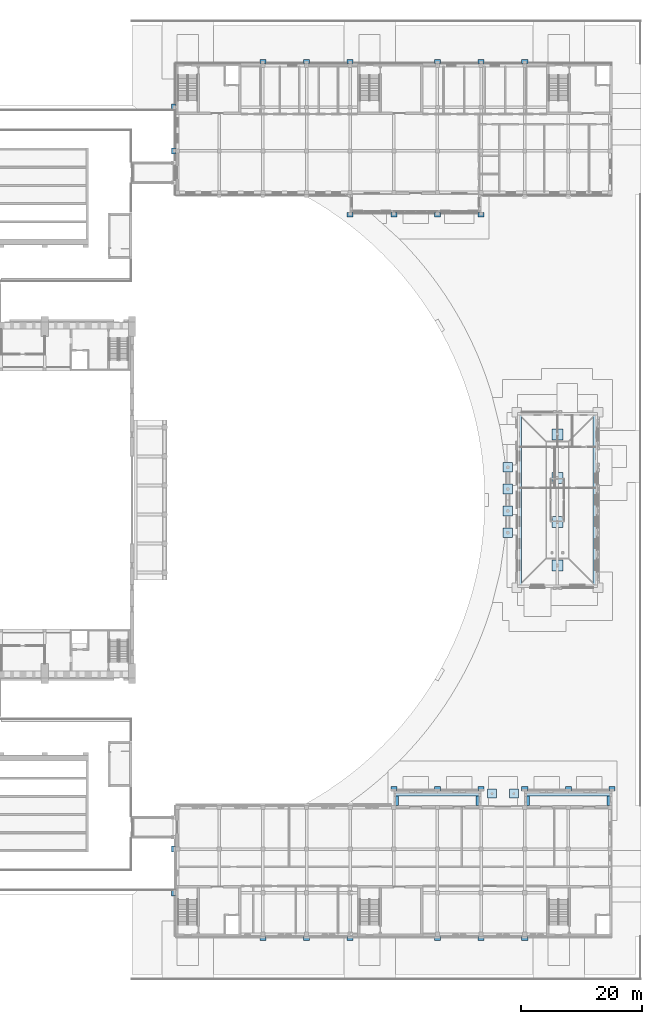
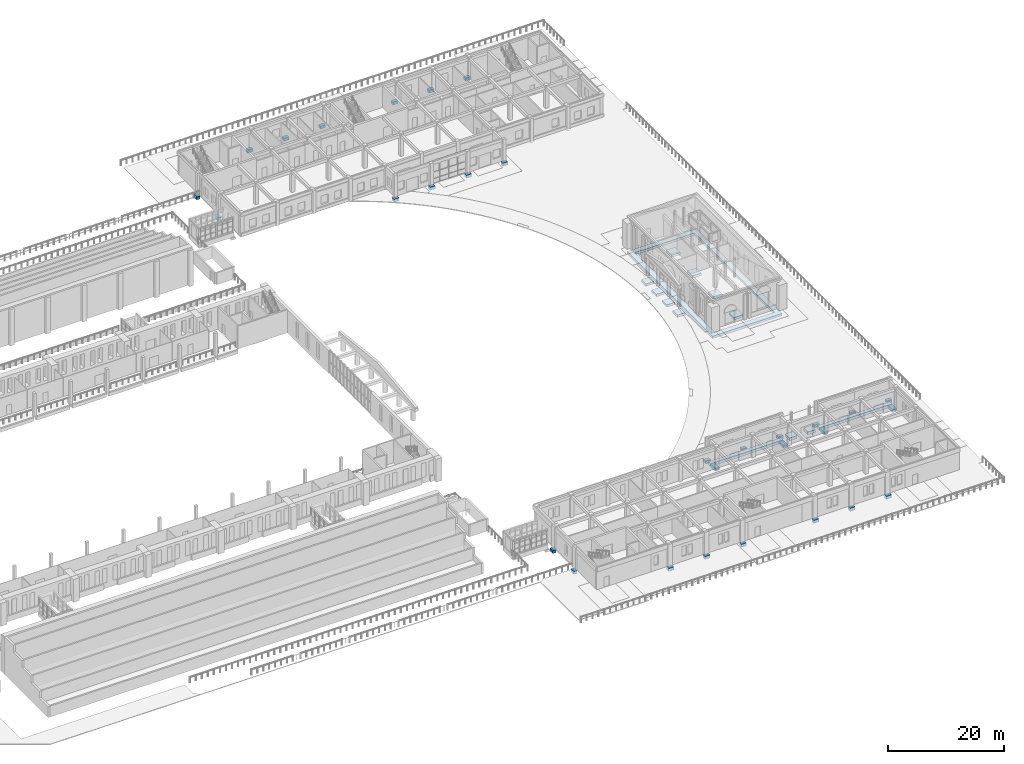
# One storey, part 1 of 131: 43 footings.
"""IFC4 building model written with IfcOpenShell, lengths in metres."""

from ifc_helpers import new_model, si_unit, direction, frame, origin, origin_2d, place, context, subcontext, project, spatial, polyline, rectangle, outline, extrude, material, type_object, element, save


model = new_model("IFC4")

# Units and contexts
model_context = context("Model", 3, precision=1e-05, world=origin(), true_north=direction((0.0, 1.0)))
body_context = subcontext(model_context, "Body", "Model", "MODEL_VIEW")
ifc_project = project(units=[si_unit("LENGTHUNIT", "METRE"), si_unit("AREAUNIT", "SQUARE_METRE"), si_unit("VOLUMEUNIT", "CUBIC_METRE"), si_unit("PLANEANGLEUNIT", "RADIAN"), si_unit("MASSUNIT", "GRAM", prefix="KILO")], contexts=[model_context])

# Site, building, storey
site_placement = place(None, origin())
site = spatial("IfcSite", under=ifc_project, at=site_placement, CompositionType="ELEMENT")
building_placement = place(site_placement, origin())
building = spatial("IfcBuilding", under=site, at=building_placement, Name="Alderwick Market Hall", CompositionType="ELEMENT")
storey_placement = place(building_placement, frame((0.0, 0.0, 4.800048828125)))
storey = spatial("IfcBuildingStorey", under=building, at=storey_placement, Name="L00", CompositionType="ELEMENT", Elevation=4.800048828125)

# Footings
ifc_material = material(Name="Concrete 4000 psi (f'c 28 MPa)", Category="concrete")
footing_type_1 = type_object("IfcFootingType", Name="C Loggia Pad Footing 1500x1500x600", PredefinedType="PAD_FOOTING", material=ifc_material)
for number, where, z_axis, x_axis, name in (
    (1, (210.60009765625, 30.75, -0.60009765625), (0.0, 0.0, 1.0), (1.0, 0.0, 0.0), "C.loggia.foot.01"),
    (2, (214.199951171875, 30.75, -0.60009765625), (0.0, 0.0, 1.0), (1.0, 0.0, 0.0), "C.loggia.foot.02"),
):
    element("IfcFooting", number, at=place(storey_placement, frame(where, z_axis=z_axis, x_axis=x_axis)), inside=storey, type_object=footing_type_1, Name=name, PredefinedType="PAD_FOOTING", context=body_context, shape_type="SweptSolid", body=[
        extrude(rectangle(XDim=1.5, YDim=1.5, at=origin_2d()), origin(), (0.0, 0.0, 1.0), 0.60009765625),
    ])
footing_type_2 = type_object("IfcFootingType", Name="C Pavilion Strip Footing 800x600", PredefinedType="STRIP_FOOTING", material=ifc_material)
footing_1_placement = place(storey_placement, frame((0.0, 0.0, -0.85009765625)))
element("IfcFooting", 3, at=footing_1_placement, inside=storey, type_object=footing_type_2, Name="C.pav1.strip.front", PredefinedType="STRIP_FOOTING", context=body_context, shape_type="SweptSolid", body=[
    extrude(outline(polyline([(194.39990234375, 31.199951171875), (208.800048828125, 31.199951171875), (208.800048828125, 30.39990234375), (194.39990234375, 30.39990234375), (194.39990234375, 31.199951171875)])), origin(), (0.0, 0.0, 1.0), 0.60009765625),
])
footing_2_placement = place(storey_placement, frame((0.0, 0.0, -0.85009765625)))
element("IfcFooting", 4, at=footing_2_placement, inside=storey, type_object=footing_type_2, Name="C.pav1.strip.west", PredefinedType="STRIP_FOOTING", context=body_context, shape_type="SweptSolid", body=[
    extrude(outline(polyline([(194.39990234375, 30.39990234375), (195.199951171875, 30.39990234375), (195.199951171875, 28.800048828125), (194.39990234375, 28.800048828125), (194.39990234375, 30.39990234375)])), origin(), (0.0, 0.0, 1.0), 0.60009765625),
])
footing_3_placement = place(storey_placement, frame((0.0, 0.0, -0.85009765625)))
element("IfcFooting", 5, at=footing_3_placement, inside=storey, type_object=footing_type_2, Name="C.pav1.strip.east", PredefinedType="STRIP_FOOTING", context=body_context, shape_type="SweptSolid", body=[
    extrude(outline(polyline([(208.0, 30.39990234375), (208.800048828125, 30.39990234375), (208.800048828125, 28.800048828125), (208.0, 28.800048828125), (208.0, 30.39990234375)])), origin(), (0.0, 0.0, 1.0), 0.60009765625),
])
footing_4_placement = place(storey_placement, frame((0.0, 0.0, -0.85009765625)))
element("IfcFooting", 6, at=footing_4_placement, inside=storey, type_object=footing_type_2, Name="C.pav2.strip.front", PredefinedType="STRIP_FOOTING", context=body_context, shape_type="SweptSolid", body=[
    extrude(outline(polyline([(216.0, 31.199951171875), (230.39990234375, 31.199951171875), (230.39990234375, 30.39990234375), (216.0, 30.39990234375), (216.0, 31.199951171875)])), origin(), (0.0, 0.0, 1.0), 0.60009765625),
])
footing_5_placement = place(storey_placement, frame((0.0, 0.0, -0.85009765625)))
element("IfcFooting", 7, at=footing_5_placement, inside=storey, type_object=footing_type_2, Name="C.pav2.strip.west", PredefinedType="STRIP_FOOTING", context=body_context, shape_type="SweptSolid", body=[
    extrude(outline(polyline([(216.0, 30.39990234375), (216.800048828125, 30.39990234375), (216.800048828125, 28.800048828125), (216.0, 28.800048828125), (216.0, 30.39990234375)])), origin(), (0.0, 0.0, 1.0), 0.60009765625),
])
footing_6_placement = place(storey_placement, frame((0.0, 0.0, -0.85009765625)))
element("IfcFooting", 8, at=footing_6_placement, inside=storey, type_object=footing_type_2, Name="C.pav2.strip.east", PredefinedType="STRIP_FOOTING", context=body_context, shape_type="SweptSolid", body=[
    extrude(outline(polyline([(229.60009765625, 30.39990234375), (230.39990234375, 30.39990234375), (230.39990234375, 28.800048828125), (229.60009765625, 28.800048828125), (229.60009765625, 30.39990234375)])), origin(), (0.0, 0.0, 1.0), 0.60009765625),
])
footing_type_3 = type_object("IfcFootingType", Name="C Pilaster Pad Footing 1000x700x600", PredefinedType="PAD_FOOTING", material=ifc_material)
for number, where, z_axis, x_axis, name in (
    (9, (172.800048828125, 6.85009765625, -0.60009765625), (0.0, 0.0, 1.0), (1.0, 0.0, 0.0), "C.pilaster.foot.back.017"),
    (10, (180.0, 6.85009765625, -0.60009765625), (0.0, 0.0, 1.0), (1.0, 0.0, 0.0), "C.pilaster.foot.back.020"),
    (11, (187.199951171875, 6.85009765625, -0.60009765625), (0.0, 0.0, 1.0), (1.0, 0.0, 0.0), "C.pilaster.foot.back.023"),
    (12, (201.60009765625, 6.85009765625, -0.60009765625), (0.0, 0.0, 1.0), (1.0, 0.0, 0.0), "C.pilaster.foot.back.026"),
    (13, (208.800048828125, 6.85009765625, -0.60009765625), (0.0, 0.0, 1.0), (1.0, 0.0, 0.0), "C.pilaster.foot.back.029"),
    (14, (216.0, 6.85009765625, -0.60009765625), (0.0, 0.0, 1.0), (1.0, 0.0, 0.0), "C.pilaster.foot.back.032"),
):
    element("IfcFooting", number, at=place(storey_placement, frame(where, z_axis=z_axis, x_axis=x_axis)), inside=storey, type_object=footing_type_3, Name=name, PredefinedType="PAD_FOOTING", context=body_context, shape_type="SweptSolid", body=[
        extrude(rectangle(XDim=1.0, YDim=0.699951171875, at=origin_2d()), origin(), (0.0, 0.0, 1.0), 0.60009765625),
    ])
for number, where, z_axis, x_axis, name in (
    (15, (158.050048828125, 21.60009765625, -0.60009765625), (0.0, 0.0, 1.0), (1.0, 0.0, 0.0), "C.pilaster.foot.west.035"),
    (16, (158.050048828125, 14.39990234375, -0.60009765625), (0.0, 0.0, 1.0), (1.0, 0.0, 0.0), "C.pilaster.foot.west.038"),
):
    element("IfcFooting", number, at=place(storey_placement, frame(where, z_axis=z_axis, x_axis=x_axis)), inside=storey, type_object=footing_type_3, Name=name, PredefinedType="PAD_FOOTING", context=body_context, shape_type="SweptSolid", body=[
        extrude(rectangle(XDim=0.699951171875, YDim=1.0, at=origin_2d()), origin(), (0.0, 0.0, 1.0), 0.60009765625),
    ])
for number, where, z_axis, x_axis, name in (
    (17, (194.39990234375, 31.550048828125, -0.60009765625), (0.0, 0.0, 1.0), (1.0, 0.0, 0.0), "C.pilaster.foot.pav1.01"),
    (18, (201.60009765625, 31.550048828125, -0.60009765625), (0.0, 0.0, 1.0), (1.0, 0.0, 0.0), "C.pilaster.foot.pav1.02"),
    (19, (208.800048828125, 31.550048828125, -0.60009765625), (0.0, 0.0, 1.0), (1.0, 0.0, 0.0), "C.pilaster.foot.pav1.03"),
    (20, (216.0, 31.550048828125, -0.60009765625), (0.0, 0.0, 1.0), (1.0, 0.0, 0.0), "C.pilaster.foot.pav2.01"),
    (21, (223.199951171875, 31.550048828125, -0.60009765625), (0.0, 0.0, 1.0), (1.0, 0.0, 0.0), "C.pilaster.foot.pav2.02"),
    (22, (230.39990234375, 31.550048828125, -0.60009765625), (0.0, 0.0, 1.0), (1.0, 0.0, 0.0), "C.pilaster.foot.pav2.03"),
):
    element("IfcFooting", number, at=place(storey_placement, frame(where, z_axis=z_axis, x_axis=x_axis)), inside=storey, type_object=footing_type_3, Name=name, PredefinedType="PAD_FOOTING", context=body_context, shape_type="SweptSolid", body=[
        extrude(rectangle(XDim=1.0, YDim=0.699951171875, at=origin_2d()), origin(), (0.0, 0.0, 1.0), 0.60009765625),
    ])
footing_type_4 = type_object("IfcFootingType", Name="F Pilaster Pad Footing 1000x700x600", PredefinedType="PAD_FOOTING", material=ifc_material)
for number, where, z_axis, x_axis, name in (
    (23, (172.800048828125, 151.550048828125, -0.60009765625), (0.0, 0.0, 1.0), (1.0, 0.0, 0.0), "F.pilaster.foot.back.021"),
    (24, (180.0, 151.550048828125, -0.60009765625), (0.0, 0.0, 1.0), (1.0, 0.0, 0.0), "F.pilaster.foot.back.024"),
    (25, (187.199951171875, 151.550048828125, -0.60009765625), (0.0, 0.0, 1.0), (1.0, 0.0, 0.0), "F.pilaster.foot.back.027"),
    (26, (201.60009765625, 151.550048828125, -0.60009765625), (0.0, 0.0, 1.0), (1.0, 0.0, 0.0), "F.pilaster.foot.back.030"),
    (27, (208.800048828125, 151.550048828125, -0.60009765625), (0.0, 0.0, 1.0), (1.0, 0.0, 0.0), "F.pilaster.foot.back.033"),
    (28, (216.0, 151.550048828125, -0.60009765625), (0.0, 0.0, 1.0), (1.0, 0.0, 0.0), "F.pilaster.foot.back.036"),
):
    element("IfcFooting", number, at=place(storey_placement, frame(where, z_axis=z_axis, x_axis=x_axis)), inside=storey, type_object=footing_type_4, Name=name, PredefinedType="PAD_FOOTING", context=body_context, shape_type="SweptSolid", body=[
        extrude(rectangle(XDim=1.0, YDim=0.699951171875, at=origin_2d()), origin(), (0.0, 0.0, 1.0), 0.60009765625),
    ])
for number, where, z_axis, x_axis, name in (
    (29, (158.050048828125, 136.800048828125, -0.60009765625), (0.0, 0.0, 1.0), (1.0, 0.0, 0.0), "F.pilaster.foot.west.039"),
    (30, (158.050048828125, 144.0, -0.60009765625), (0.0, 0.0, 1.0), (1.0, 0.0, 0.0), "F.pilaster.foot.west.042"),
):
    element("IfcFooting", number, at=place(storey_placement, frame(where, z_axis=z_axis, x_axis=x_axis)), inside=storey, type_object=footing_type_4, Name=name, PredefinedType="PAD_FOOTING", context=body_context, shape_type="SweptSolid", body=[
        extrude(rectangle(XDim=0.699951171875, YDim=1.0, at=origin_2d()), origin(), (0.0, 0.0, 1.0), 0.60009765625),
    ])
for number, where, z_axis, x_axis, name in (
    (31, (187.199951171875, 126.25, -0.60009765625), (0.0, 0.0, 1.0), (1.0, 0.0, 0.0), "F.pilaster.foot.pav1.01"),
    (32, (194.39990234375, 126.25, -0.60009765625), (0.0, 0.0, 1.0), (1.0, 0.0, 0.0), "F.pilaster.foot.pav1.02"),
    (33, (201.60009765625, 126.25, -0.60009765625), (0.0, 0.0, 1.0), (1.0, 0.0, 0.0), "F.pilaster.foot.pav1.03"),
    (34, (208.800048828125, 126.25, -0.60009765625), (0.0, 0.0, 1.0), (1.0, 0.0, 0.0), "F.pilaster.foot.pav1.04"),
):
    element("IfcFooting", number, at=place(storey_placement, frame(where, z_axis=z_axis, x_axis=x_axis)), inside=storey, type_object=footing_type_4, Name=name, PredefinedType="PAD_FOOTING", context=body_context, shape_type="SweptSolid", body=[
        extrude(rectangle(XDim=1.0, YDim=0.699951171875, at=origin_2d()), origin(), (0.0, 0.0, 1.0), 0.60009765625),
    ])
footing_type_5 = type_object("IfcFootingType", Name="G Pad footing 1600x1600x500", PredefinedType="PAD_FOOTING", material=ifc_material)
for number, where, z_axis, x_axis, name in (
    (35, (213.199951171875, 73.800048828125, -1.699951171875), (0.0, 0.0, 1.0), (1.0, 0.0, 0.0), "Portico column footing 1"),
    (36, (213.199951171875, 77.39990234375, -1.699951171875), (0.0, 0.0, 1.0), (1.0, 0.0, 0.0), "Portico column footing 2"),
    (37, (213.199951171875, 81.0, -1.699951171875), (0.0, 0.0, 1.0), (1.0, 0.0, 0.0), "Portico column footing 3"),
    (38, (213.199951171875, 84.60009765625, -1.699951171875), (0.0, 0.0, 1.0), (1.0, 0.0, 0.0), "Portico column footing 4"),
):
    element("IfcFooting", number, at=place(storey_placement, frame(where, z_axis=z_axis, x_axis=x_axis)), inside=storey, type_object=footing_type_5, Name=name, PredefinedType="PAD_FOOTING", context=body_context, shape_type="SweptSolid", body=[
        extrude(rectangle(XDim=1.60009765625, YDim=1.60009765625, at=origin_2d()), origin(), (0.0, 0.0, 1.0), 0.5),
    ])
footing_type_6 = type_object("IfcFootingType", Name="G Pad footing 1800x1800x500", PredefinedType="PAD_FOOTING", material=ifc_material)
for number, where, z_axis, x_axis, name in (
    (39, (221.39990234375, 68.39990234375, -1.699951171875), (0.0, 0.0, 1.0), (1.0, 0.0, 0.0), "Column pad footing 1"),
    (40, (221.39990234375, 75.60009765625, -1.699951171875), (0.0, 0.0, 1.0), (1.0, 0.0, 0.0), "Column pad footing 2"),
    (41, (221.39990234375, 82.800048828125, -1.699951171875), (0.0, 0.0, 1.0), (1.0, 0.0, 0.0), "Column pad footing 3"),
    (42, (221.39990234375, 90.0, -1.699951171875), (0.0, 0.0, 1.0), (1.0, 0.0, 0.0), "Column pad footing 4"),
):
    element("IfcFooting", number, at=place(storey_placement, frame(where, z_axis=z_axis, x_axis=x_axis)), inside=storey, type_object=footing_type_6, Name=name, PredefinedType="PAD_FOOTING", context=body_context, shape_type="SweptSolid", body=[
        extrude(rectangle(XDim=1.800048828125, YDim=1.800048828125, at=origin_2d()), origin(), (0.0, 0.0, 1.0), 0.5),
    ])
footing_type_7 = type_object("IfcFootingType", Name="G Ring footing 1000x500", PredefinedType="STRIP_FOOTING", material=ifc_material)
footing_7_placement = place(storey_placement, frame((0.0, 0.0, -1.699951171875)))
element("IfcFooting", 43, at=footing_7_placement, inside=storey, type_object=footing_type_7, Name="Ring footing", PredefinedType="STRIP_FOOTING", context=body_context, shape_type="SweptSolid", body=[
    extrude(outline(polyline([(214.5, 64.5), (228.300048828125, 64.5), (228.300048828125, 93.89990234375), (214.5, 93.89990234375), (214.5, 64.5)]), holes=[polyline([(215.5, 65.5), (227.300048828125, 65.5), (227.300048828125, 92.89990234375), (215.5, 92.89990234375), (215.5, 65.5)])]), origin(), (0.0, 0.0, 1.0), 0.5),
])

save(model, "model.ifc")
